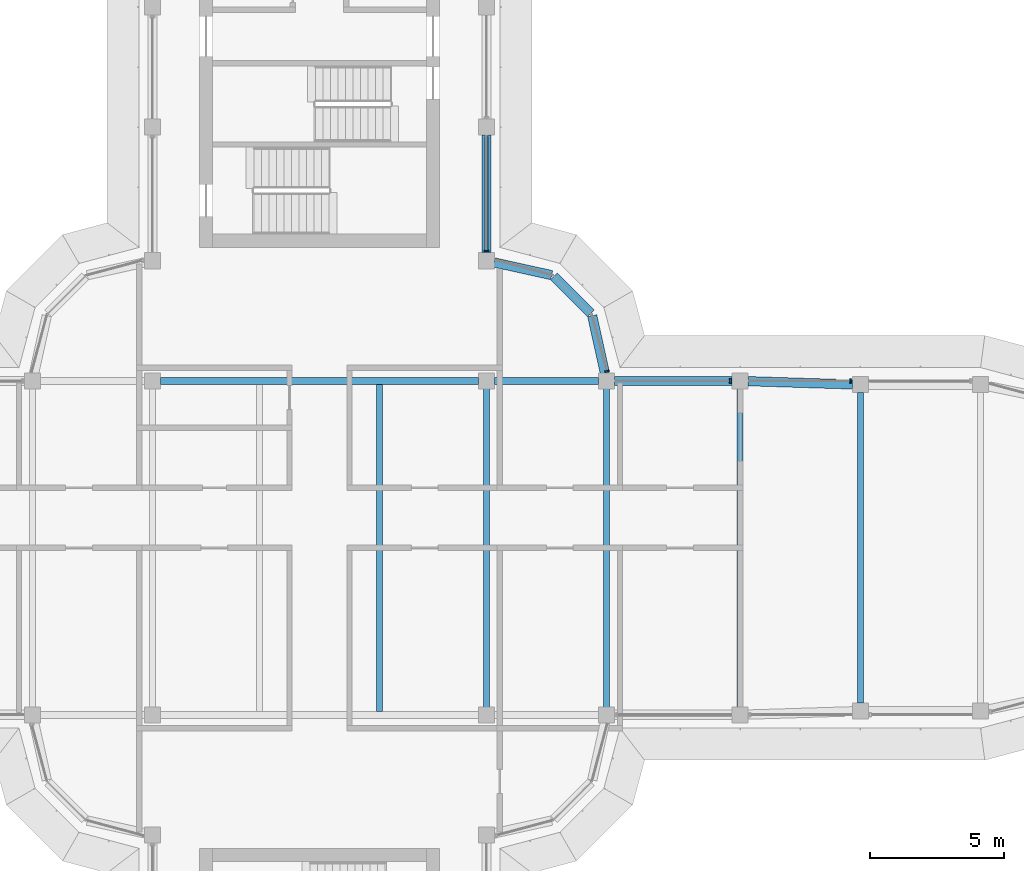
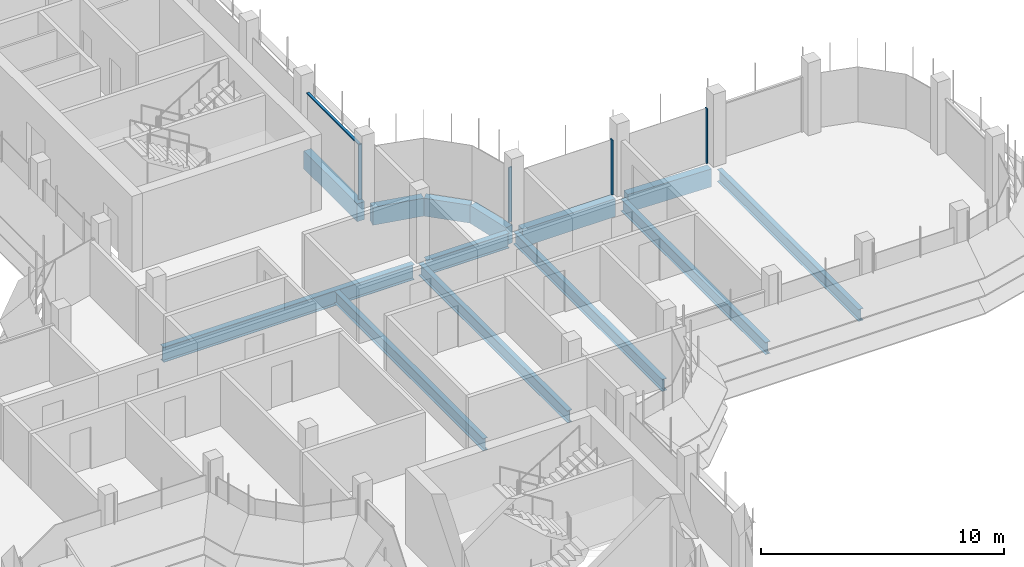
# One storey, part 8 of 19: 13 beams, 5 members, 3 elements without a shape of their own.
"""IFC4 building model written with IfcOpenShell, lengths in metres."""

from ifc_helpers import new_model, si_unit, direction, frame, origin, origin_2d, place, context, subcontext, project, spatial, polyline, rectangle, i_section, outline, extrude, source, transform, mapped, material, material_profile, profile_set, type_object, element, aggregate, save


model = new_model("IFC4")

# Units and contexts
model_context = context("Model", 3, precision=1e-05, world=origin(), true_north=direction((0.0, 1.0)))
body_context = subcontext(model_context, "Body", "Model", "MODEL_VIEW")
ifc_project = project(units=[si_unit("LENGTHUNIT", "METRE"), si_unit("AREAUNIT", "SQUARE_METRE"), si_unit("VOLUMEUNIT", "CUBIC_METRE"), si_unit("PLANEANGLEUNIT", "RADIAN"), si_unit("MASSUNIT", "GRAM", prefix="KILO")], contexts=[model_context])

# Site, building, storey
site_placement = place(None, origin())
site = spatial("IfcSite", under=ifc_project, at=site_placement, CompositionType="ELEMENT")
building_placement = place(site_placement, origin())
building = spatial("IfcBuilding", under=site, at=building_placement, Name="Zarbagh Exchange Tower", CompositionType="ELEMENT")
storey_placement = place(building_placement, frame((0.0, 0.0, 261.199951171875)))
storey = spatial("IfcBuildingStorey", under=building, at=storey_placement, Name="L64", CompositionType="ELEMENT", Elevation=261.199951171875)

# Beams
ifc_material_1 = material(Name="Steel ASTM A992 Gr 50", Category="steel")
ifc_material_profile_1 = material_profile(ifc_material_1, i_section(OverallWidth=0.228271484375, OverallDepth=0.607177734375, WebThickness=0.01123046875, FlangeThickness=0.017333984375, at=origin_2d()), Name="W24X76")
ifc_profile_set_1 = profile_set([ifc_material_profile_1], Name="Steel ASTM A992 Gr 50")
beam_type_1 = type_object("IfcBeamType", Name="Floor beam W24X76", PredefinedType="BEAM", material=ifc_profile_set_1)
for number, where, z_axis, x_axis, name in (
    (1, (2.25, -6.11669921875, -0.453369140625), (0.0, 1.0, 0.0), (-1.0, 0.0, 0.0), "Steel floor beam"),
    (2, (6.25, -6.11669921875, -0.453369140625), (0.0, 1.0, 0.0), (-1.0, 0.0, 0.0), "Steel floor beam"),
    (3, (10.75, -6.11669921875, -0.453369140625), (0.0, 1.0, 0.0), (-1.0, 0.0, 0.0), "Steel floor beam"),
):
    element("IfcBeam", number, at=place(storey_placement, frame(where, z_axis=z_axis, x_axis=x_axis)), inside=storey, type_object=beam_type_1, Name=name, PredefinedType="BEAM", context=body_context, shape_type="SweptSolid", body=[
        extrude(i_section(OverallWidth=0.228271484375, OverallDepth=0.607177734375, WebThickness=0.01123046875, FlangeThickness=0.017333984375, at=origin_2d()), origin(), (0.0, 0.0, 1.0), 12.2333984375),
    ])
beam_1_placement = place(storey_placement, frame((15.75, -5.949951171875, -0.453369140625), z_axis=(0.0, 1.0, 0.0), x_axis=(-1.0, 0.0, 0.0)))
element("IfcBeam", 4, at=beam_1_placement, inside=storey, type_object=beam_type_1, Name="Steel floor beam", PredefinedType="BEAM", context=body_context, shape_type="SweptSolid", body=[
    extrude(i_section(OverallWidth=0.228271484375, OverallDepth=0.607177734375, WebThickness=0.01123046875, FlangeThickness=0.017333984375, at=origin_2d()), origin(), (0.0, 0.0, 1.0), 11.89990234375),
])
beam_2_placement = place(storey_placement, frame((20.25, -5.81005859375, -0.453369140625), z_axis=(0.0, 1.0, 0.0), x_axis=(-1.0, 0.0, 0.0)))
element("IfcBeam", 5, at=beam_2_placement, inside=storey, type_object=beam_type_1, Name="Steel floor beam", PredefinedType="BEAM", context=body_context, shape_type="SweptSolid", body=[
    extrude(i_section(OverallWidth=0.228271484375, OverallDepth=0.607177734375, WebThickness=0.01123046875, FlangeThickness=0.017333984375, at=origin_2d()), origin(), (0.0, 0.0, 1.0), 11.6201171875),
])
ifc_material_profile_2 = material_profile(ifc_material_1, i_section(OverallWidth=0.2666015625, OverallDepth=0.7568359375, WebThickness=0.013916015625, FlangeThickness=0.019287109375, at=origin_2d()), Name="W30X108")
ifc_profile_set_2 = profile_set([ifc_material_profile_2], Name="Steel ASTM A992 Gr 50")
beam_type_2 = type_object("IfcBeamType", Name="Floor girder W30X108", PredefinedType="BEAM", material=ifc_profile_set_2)
beam_3_placement = place(storey_placement, frame((-5.949951171875, 6.25, -0.5283203125), z_axis=(1.0, 0.0, 0.0), x_axis=(0.0, 1.0, 0.0)))
element("IfcBeam", 6, at=beam_3_placement, inside=storey, type_object=beam_type_2, Name="Steel girder", PredefinedType="BEAM", context=body_context, shape_type="SweptSolid", body=[
    extrude(i_section(OverallWidth=0.2666015625, OverallDepth=0.7568359375, WebThickness=0.013916015625, FlangeThickness=0.019287109375, at=origin_2d()), origin(), (0.0, 0.0, 1.0), 11.89990234375),
])
beam_4_placement = place(storey_placement, frame((6.550048828125, 6.25, -0.5283203125), z_axis=(1.0, 0.0, 0.0), x_axis=(0.0, 1.0, 0.0)))
element("IfcBeam", 7, at=beam_4_placement, inside=storey, type_object=beam_type_2, Name="Steel girder", PredefinedType="BEAM", context=body_context, shape_type="SweptSolid", body=[
    extrude(i_section(OverallWidth=0.2666015625, OverallDepth=0.7568359375, WebThickness=0.013916015625, FlangeThickness=0.019287109375, at=origin_2d()), origin(), (0.0, 0.0, 1.0), 3.89990234375),
])
ifc_material_2 = material(Name="Concrete C40/50", Category="concrete")
ifc_material_profile_3 = material_profile(ifc_material_2, rectangle(XDim=0.35009765625, YDim=0.89990234375, at=origin_2d()), Name="RC spandrel beam 350 x 900 C40/50")
ifc_profile_set_3 = profile_set([ifc_material_profile_3], Name="Concrete C40/50")
beam_type_3 = type_object("IfcBeamType", Name="RC spandrel beam 350 x 900 C40/50", PredefinedType="SPANDREL", material=ifc_profile_set_3)
beam_5_placement = place(storey_placement, frame((6.25, 15.449951171875, -0.599853515625), z_axis=(0.0, -1.0, 0.0), x_axis=(1.0, 0.0, 0.0)))
element("IfcBeam", 8, at=beam_5_placement, inside=storey, type_object=beam_type_3, Name="RC spandrel beam", PredefinedType="SPANDREL", context=body_context, shape_type="SweptSolid", body=[
    extrude(rectangle(XDim=0.35009765625, YDim=0.89990234375, at=origin_2d()), origin(), (0.0, 0.0, 1.0), 4.39990234375),
])
beam_6_placement = place(storey_placement, frame((6.54296875, 10.685302734375, -0.599853515625), z_axis=(0.976387662047, -0.216025770228, 0.0), x_axis=(0.216025770228, 0.976387662047, 0.0)))
element("IfcBeam", 9, at=beam_6_placement, inside=storey, type_object=beam_type_3, Name="RC spandrel beam", PredefinedType="SPANDREL", context=body_context, shape_type="SweptSolid", body=[
    extrude(rectangle(XDim=0.35009765625, YDim=0.89990234375, at=origin_2d()), origin(), (0.0, 0.0, 1.0), 2.200439453125),
])
beam_7_placement = place(storey_placement, frame((8.77734375, 10.16259765625, -0.599853515625), z_axis=(0.707106781187, -0.707106781187, 0.0), x_axis=(0.707106781187, 0.707106781187, 0.0)))
element("IfcBeam", 10, at=beam_7_placement, inside=storey, type_object=beam_type_3, Name="RC spandrel beam", PredefinedType="SPANDREL", context=body_context, shape_type="SweptSolid", body=[
    extrude(rectangle(XDim=0.35009765625, YDim=0.89990234375, at=origin_2d()), origin(), (0.0, 0.0, 1.0), 1.958984375),
])
beam_8_placement = place(storey_placement, frame((10.2099609375, 8.69140625, -0.599853515625), z_axis=(0.216025770228, -0.976387662047, 0.0), x_axis=(0.976387662047, 0.216025770228, 0.0)))
element("IfcBeam", 11, at=beam_8_placement, inside=storey, type_object=beam_type_3, Name="RC spandrel beam", PredefinedType="SPANDREL", context=body_context, shape_type="SweptSolid", body=[
    extrude(rectangle(XDim=0.35009765625, YDim=0.89990234375, at=origin_2d()), origin(), (0.0, 0.0, 1.0), 2.200439453125),
])
beam_9_placement = place(storey_placement, frame((11.050048828125, 6.25, -0.599853515625), z_axis=(1.0, 0.0, 0.0), x_axis=(0.0, 1.0, 0.0)))
element("IfcBeam", 12, at=beam_9_placement, inside=storey, type_object=beam_type_3, Name="RC spandrel beam", PredefinedType="SPANDREL", context=body_context, shape_type="SweptSolid", body=[
    extrude(rectangle(XDim=0.35009765625, YDim=0.89990234375, at=origin_2d()), origin(), (0.0, 0.0, 1.0), 4.39990234375),
])
beam_10_placement = place(storey_placement, frame((16.0498046875, 6.24072265625, -0.599853515625), z_axis=(0.999516460907, -0.031094121249, 0.0), x_axis=(0.031094121249, 0.999516460907, 0.0)))
element("IfcBeam", 13, at=beam_10_placement, inside=storey, type_object=beam_type_3, Name="RC spandrel beam", PredefinedType="SPANDREL", context=body_context, shape_type="SweptSolid", body=[
    extrude(rectangle(XDim=0.35009765625, YDim=0.89990234375, at=origin_2d()), origin(), (0.0, 0.0, 1.0), 3.90234375),
])

# Curtain wall, members
ifc_material_3 = material(Name="Anodised aluminium frame and glazing", Category="aluminium")
curtain_wall_type = type_object("IfcCurtainWallType", Name="CWB Ribbon glazing, upper zones", PredefinedType="NOTDEFINED", material=ifc_material_3)
curtain_wall_1_placement = place(storey_placement, origin())
curtain_wall_1 = element("IfcCurtainWall", 14, at=curtain_wall_1_placement, inside=storey, type_object=curtain_wall_type, Name="CWB82 curtain wall", PredefinedType="NOTDEFINED")
ifc_material_4 = material(Name="Anodised aluminium frame", Category="aluminium")
member_type_1 = type_object("IfcMemberType", Name="MUB Mullion, anodised aluminium frame", PredefinedType="MULLION", material=ifc_material_4)
shared_shape_1 = source(origin(), body_context, "Body", "SweptSolid", [
    extrude(outline(polyline([(0.0, -0.080078125), (0.06005859375, -0.080078125), (0.06005859375, 0.080078125), (0.0, 0.080078125), (0.0, -0.080078125)])), origin(), (0.0, 0.0, 1.0), 2.75),
])
placement = place(storey_placement, origin())
member_1 = element("IfcMember", 15, at=placement, type_object=member_type_1, Name="CWB82 mullion 2.1", PredefinedType="MULLION", context=body_context, shape_type="MappedRepresentation", body=[
    mapped(shared_shape_1, transform((19.909912109375, 6.25, 0.0), x_axis=(-1.0, 0.0, 0.0), y_axis=(0.0, -1.0, 0.0), z_axis=(0.0, 0.0, 1.0))),
])
member_2 = element("IfcMember", 16, at=placement, type_object=member_type_1, Name="CWB82 mullion 3.1", PredefinedType="MULLION", context=body_context, shape_type="MappedRepresentation", body=[
    mapped(shared_shape_1, transform((15.409912109375, 6.25, 0.0), x_axis=(-1.0, 0.0, 0.0), y_axis=(0.0, -1.0, 0.0), z_axis=(0.0, 0.0, 1.0))),
])
aggregate(curtain_wall_1, [member_1, member_2])

# Curtain wall, member
curtain_wall_2_placement = place(storey_placement, origin())
curtain_wall_2 = element("IfcCurtainWall", 17, at=curtain_wall_2_placement, inside=storey, type_object=curtain_wall_type, Name="CWB17 curtain wall", PredefinedType="NOTDEFINED")
member_3 = element("IfcMember", 18, at=placement, type_object=member_type_1, Name="CWB17 mullion 1.1", PredefinedType="MULLION", context=body_context, shape_type="MappedRepresentation", body=[
    mapped(shared_shape_1, transform((10.775146484375, 6.590087890625, 0.0), x_axis=(-0.258824779902, 0.965924289636, 0.0), y_axis=(-0.965924289636, -0.258824779902, 0.0), z_axis=(0.0, 0.0, 1.0))),
])
aggregate(curtain_wall_2, [member_3])

# Curtain wall, members
curtain_wall_3_placement = place(storey_placement, origin())
curtain_wall_3 = element("IfcCurtainWall", 19, at=curtain_wall_3_placement, inside=storey, type_object=curtain_wall_type, Name="CWB67 curtain wall", PredefinedType="NOTDEFINED")
member_4 = element("IfcMember", 20, at=placement, type_object=member_type_1, Name="CWB67 mullion 1.1", PredefinedType="MULLION", context=body_context, shape_type="MappedRepresentation", body=[
    mapped(shared_shape_1, transform((6.25, 11.090087890625, 0.0), x_axis=(0.0, 1.0, 0.0), y_axis=(-1.0, 0.0, 0.0), z_axis=(0.0, 0.0, 1.0))),
])
member_type_2 = type_object("IfcMemberType", Name="TRB Transom, anodised aluminium frame", PredefinedType="USERDEFINED", material=ifc_material_4)
shared_shape_2 = source(origin(), body_context, "Body", "SweptSolid", [
    extrude(outline(polyline([(-0.06005859375, -0.06005859375), (0.0, -0.06005859375), (0.0, 0.06005859375), (-0.06005859375, 0.06005859375), (-0.06005859375, -0.06005859375)])), origin(), (0.0, 0.0, 1.0), 4.260009765625),
])
member_5 = element("IfcMember", 21, at=placement, type_object=member_type_2, Name="CWB67 transom 1.1", ObjectType="TRANSOM", PredefinedType="USERDEFINED", context=body_context, shape_type="MappedRepresentation", body=[
    mapped(shared_shape_2, transform((6.25, 11.150146484375, 2.75), x_axis=(0.0, 0.0, 1.0), y_axis=(1.0, 0.0, 0.0), z_axis=(0.0, 1.0, 0.0))),
])
aggregate(curtain_wall_3, [member_4, member_5])

save(model, "model.ifc")
